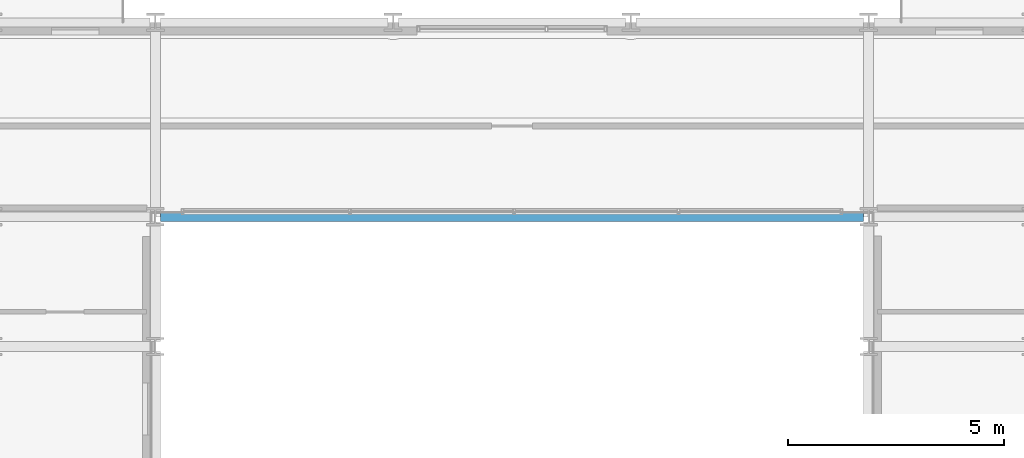
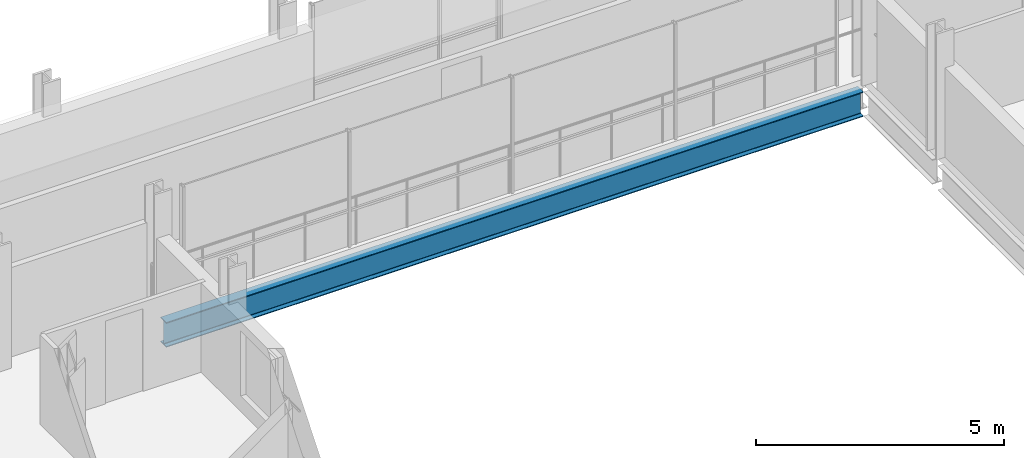
# One storey, part 10 of 40: 1 beam.
"""IFC4 building model written with IfcOpenShell, lengths in metres."""

from ifc_helpers import new_model, si_unit, direction, frame, origin, origin_2d, place, context, subcontext, project, spatial, i_section, extrude, material, material_profile, profile_set, type_object, element, save


model = new_model("IFC4")

# Units and contexts
model_context = context("Model", 3, precision=1e-05, world=origin(), true_north=direction((0.0, 1.0)))
body_context = subcontext(model_context, "Body", "Model", "MODEL_VIEW")
ifc_project = project(units=[si_unit("LENGTHUNIT", "METRE"), si_unit("AREAUNIT", "SQUARE_METRE"), si_unit("VOLUMEUNIT", "CUBIC_METRE"), si_unit("PLANEANGLEUNIT", "RADIAN"), si_unit("MASSUNIT", "GRAM", prefix="KILO")], contexts=[model_context])

# Site, building, storey
site_placement = place(None, origin())
site = spatial("IfcSite", under=ifc_project, at=site_placement, CompositionType="ELEMENT")
building_placement = place(site_placement, origin())
building = spatial("IfcBuilding", under=site, at=building_placement, Name="Brevholm Reach", CompositionType="ELEMENT")
storey_placement = place(building_placement, frame((0.0, 0.0, 131.39990234375)))
storey = spatial("IfcBuildingStorey", under=building, at=storey_placement, Name="L39", CompositionType="ELEMENT", Elevation=131.39990234375)

# Beam
ifc_material = material(Name="Structural Steel S355J2", Category="steel")
ifc_material_profile = material_profile(ifc_material, i_section(OverallWidth=0.22900390625, OverallDepth=0.6123046875, WebThickness=0.011962890625, FlangeThickness=0.01953125, FilletRadius=0.0126953125, at=origin_2d()), Name="UKB 610x229x125")
ifc_profile_set = profile_set([ifc_material_profile], Name="Structural Steel S355J2")
beam_type = type_object("IfcBeamType", Name="BM-SP610", PredefinedType="SPANDREL", material=ifc_profile_set)
beam_placement = place(storey_placement, frame((21.8701171875, 26.5, -0.526123046875), z_axis=(1.0, 0.0, 0.0), x_axis=(0.0, 1.0, 0.0)))
element("IfcBeam", 1, at=beam_placement, inside=storey, type_object=beam_type, Name="L39 SP-01 Framing Beam", PredefinedType="SPANDREL", context=body_context, shape_type="SweptSolid", body=[
    extrude(i_section(OverallWidth=0.22900390625, OverallDepth=0.6123046875, WebThickness=0.011962890625, FlangeThickness=0.01953125, FilletRadius=0.0126953125, at=origin_2d()), origin(), (0.0, 0.0, 1.0), 16.259765625),
])

save(model, "model.ifc")
